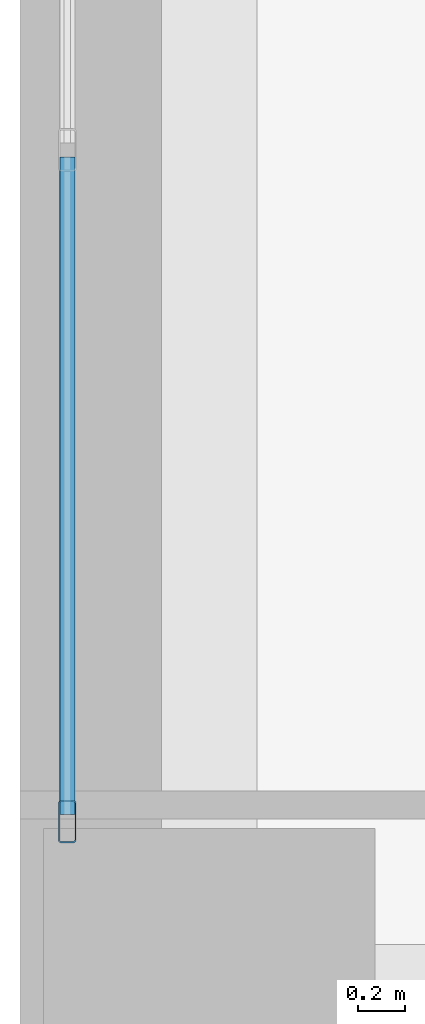
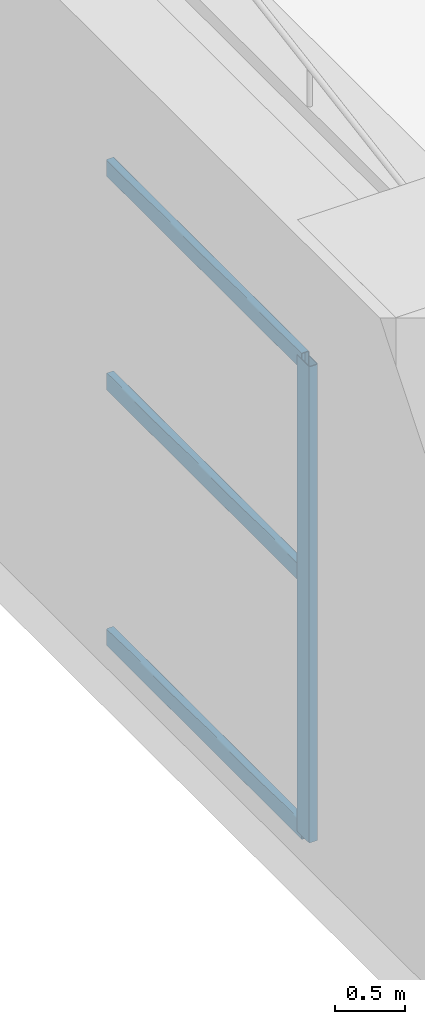
# One storey, part 5 of 25: 4 members, 1 element without a shape of its own.
"""IFC4 building model written with IfcOpenShell, lengths in metres."""

from ifc_helpers import new_model, si_unit, direction, frame, origin, origin_2d, place, context, subcontext, project, spatial, hollow_rectangle, extrude, material, layer, layer_set, material_profile, profile_set, type_object, element, aggregate, save


model = new_model("IFC4")

# Units and contexts
model_context = context("Model", 3, precision=1e-05, world=origin(), true_north=direction((0.0, 1.0)))
body_context = subcontext(model_context, "Body", "Model", "MODEL_VIEW")
ifc_project = project(units=[si_unit("LENGTHUNIT", "METRE"), si_unit("AREAUNIT", "SQUARE_METRE"), si_unit("VOLUMEUNIT", "CUBIC_METRE"), si_unit("PLANEANGLEUNIT", "RADIAN"), si_unit("MASSUNIT", "GRAM", prefix="KILO")], contexts=[model_context])

# Site, building, storey
site_placement = place(None, origin())
site = spatial("IfcSite", under=ifc_project, at=site_placement, CompositionType="ELEMENT")
building_placement = place(site_placement, origin())
building = spatial("IfcBuilding", under=site, at=building_placement, Name="Soratama Intermodal Tower", CompositionType="ELEMENT")
storey_placement = place(building_placement, frame((0.0, 0.0, -5.39990234375)))
storey = spatial("IfcBuildingStorey", under=building, at=storey_placement, Name="B1", CompositionType="ELEMENT", Elevation=-5.39990234375)

# Curtain wall, members
ifc_material_1 = material(Name="Double-glazed aluminium curtain wall", Category="aluminium")
ifc_layer = layer(ifc_material_1, 0.159912109375)
ifc_layer_set = layer_set([ifc_layer], Name="Double-glazed aluminium curtain wall")
curtain_wall_type = type_object("IfcCurtainWallType", Name="CW-SYS-1", PredefinedType="NOTDEFINED", material=ifc_layer_set)
curtain_wall_placement = place(storey_placement, origin())
curtain_wall = element("IfcCurtainWall", 1, at=curtain_wall_placement, inside=storey, type_object=curtain_wall_type, Name="B1 Station Curtain Wall W1", PredefinedType="NOTDEFINED")
ifc_material_2 = material(Name="Anodised aluminium AA 6063-T6", Category="aluminium")
ifc_material_profile_1 = material_profile(ifc_material_2, hollow_rectangle(XDim=0.074951171875, YDim=0.179931640625, WallThickness=0.006103515625, InnerFilletRadius=0.006103515625, OuterFilletRadius=0.011962890625, at=origin_2d()), Name="CWM180X75X6")
ifc_profile_set_1 = profile_set([ifc_material_profile_1], Name="Anodised aluminium AA 6063-T6")
member_type_1 = type_object("IfcMemberType", Name="MT-CWM-1", PredefinedType="MULLION", material=ifc_profile_set_1)
member_1_placement = place(storey_placement, frame((0.199951171875, 15.72998046875, 0.0), z_axis=(0.0, 0.0, 1.0), x_axis=(-1.0, 0.0, 0.0)))
member_1 = element("IfcMember", 2, at=member_1_placement, type_object=member_type_1, Name="CW-1 mullion 1", PredefinedType="MULLION", context=body_context, shape_type="SweptSolid", body=[
    extrude(hollow_rectangle(XDim=0.074951171875, YDim=0.179931640625, WallThickness=0.006103515625, InnerFilletRadius=0.006103515625, OuterFilletRadius=0.011962890625, at=origin_2d()), origin(), (0.0, 0.0, 1.0), 4.135986328125),
])
ifc_material_3 = material(Name="Anodised aluminium AA 6063-T6", Category="aluminium")
ifc_material_profile_2 = material_profile(ifc_material_3, hollow_rectangle(XDim=0.06494140625, YDim=0.14990234375, WallThickness=0.0048828125, InnerFilletRadius=0.0048828125, OuterFilletRadius=0.010009765625, at=origin_2d()), Name="CWT150X65X5")
ifc_profile_set_2 = profile_set([ifc_material_profile_2], Name="Anodised aluminium AA 6063-T6")
member_type_2 = type_object("IfcMemberType", Name="TT-CWT-1", PredefinedType="USERDEFINED", material=ifc_profile_set_2)
member_2_placement = place(storey_placement, frame((0.199951171875, 15.760009765625, 0.02978515625), z_axis=(0.0, 1.0, 0.0), x_axis=(-1.0, 0.0, 0.0)))
member_2 = element("IfcMember", 3, at=member_2_placement, type_object=member_type_2, Name="CW-1 transom 1.1", ObjectType="TRANSOM", PredefinedType="USERDEFINED", context=body_context, shape_type="SweptSolid", body=[
    extrude(hollow_rectangle(XDim=0.06494140625, YDim=0.14990234375, WallThickness=0.0048828125, InnerFilletRadius=0.0048828125, OuterFilletRadius=0.010009765625, at=origin_2d()), origin(), (0.0, 0.0, 1.0), 2.776611328125),
])
member_3_placement = place(storey_placement, frame((0.199951171875, 15.760009765625, 2.25), z_axis=(0.0, 1.0, 0.0), x_axis=(-1.0, 0.0, 0.0)))
member_3 = element("IfcMember", 4, at=member_3_placement, type_object=member_type_2, Name="CW-1 transom 1.2", ObjectType="TRANSOM", PredefinedType="USERDEFINED", context=body_context, shape_type="SweptSolid", body=[
    extrude(hollow_rectangle(XDim=0.06494140625, YDim=0.14990234375, WallThickness=0.0048828125, InnerFilletRadius=0.0048828125, OuterFilletRadius=0.010009765625, at=origin_2d()), origin(), (0.0, 0.0, 1.0), 2.776611328125),
])
member_4_placement = place(storey_placement, frame((0.199951171875, 15.760009765625, 4.10595703125), z_axis=(0.0, 1.0, 0.0), x_axis=(-1.0, 0.0, 0.0)))
member_4 = element("IfcMember", 5, at=member_4_placement, type_object=member_type_2, Name="CW-1 transom 1.3", ObjectType="TRANSOM", PredefinedType="USERDEFINED", context=body_context, shape_type="SweptSolid", body=[
    extrude(hollow_rectangle(XDim=0.06494140625, YDim=0.14990234375, WallThickness=0.0048828125, InnerFilletRadius=0.0048828125, OuterFilletRadius=0.010009765625, at=origin_2d()), origin(), (0.0, 0.0, 1.0), 2.776611328125),
])
aggregate(curtain_wall, [member_1, member_2, member_3, member_4])

save(model, "model.ifc")
